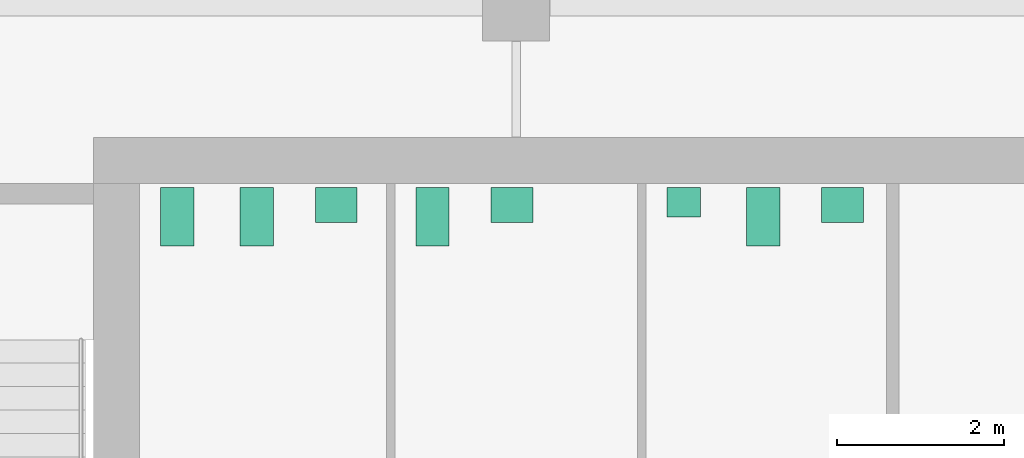
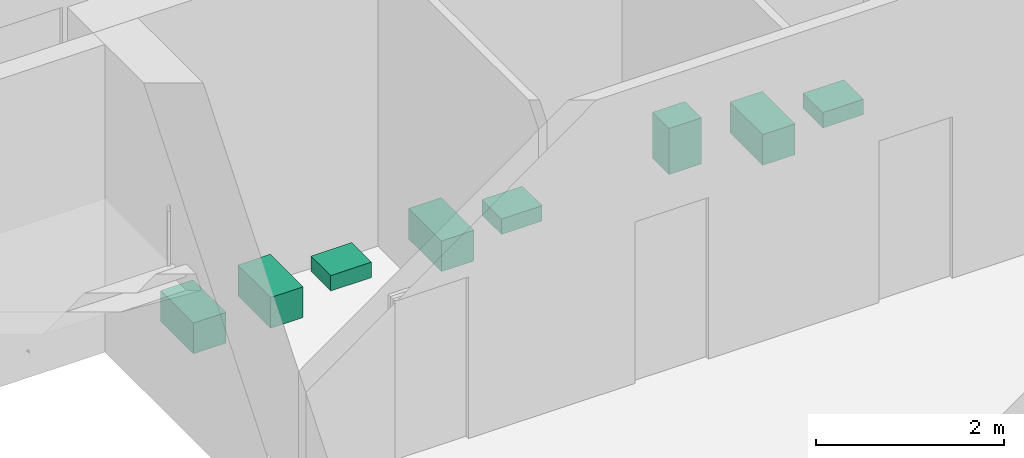
# One storey, part 7 of 7: 8 sanitary terminals.
"""IFC4 building model written with IfcOpenShell, lengths in metres."""

import ifcopenshell
import ifcopenshell.guid

model = None  # the IFC model being written
_history = None  # IfcOwnerHistory: only IFC2X3 demands one
_inside = {}  # id of a spatial element -> (the spatial element, [elements in it])
_under = {}  # id of a project, library or spatial element -> (it, [spatial elements below it])
_declared = {}  # id of a project -> (the project, [libraries it declares])
_typed = {}  # id of a type object -> (the type object, [elements of that type])
_made_of = {}  # id of a material, layer set ... -> (it, [elements and type objects made of it])


def new_model(schema):
    """Start an empty IFC model of exactly this schema.

    Asked for "IFC4X3", IfcOpenShell would pick the latest addendum, in which some entities
    have other attributes; the version numbers below select the first issue.
    IFC2X3 requires an IfcOwnerHistory on every rooted entity: one is made here for all.
    """
    global model, _history
    if schema == "IFC4X3":
        model = ifcopenshell.file(schema_version=(4, 3, 0, 0))
    else:
        model = ifcopenshell.file(schema=schema)
    _inside.clear()
    _under.clear()
    _declared.clear()
    _typed.clear()
    _made_of.clear()
    _history = None
    if model.schema == "IFC2X3":
        org = make("IfcOrganization", Name="unknown")
        user = make(
            "IfcPersonAndOrganization",
            ThePerson=make("IfcPerson", FamilyName="unknown"),
            TheOrganization=org,
        )
        app = make(
            "IfcApplication",
            ApplicationDeveloper=org,
            Version="unknown",
            ApplicationFullName="unknown",
            ApplicationIdentifier="unknown",
        )
        _history = make(
            "IfcOwnerHistory",
            OwningUser=user,
            OwningApplication=app,
            ChangeAction="ADDED",
            CreationDate=0,
        )
    return model


def make(cls, **values):
    """One entity of the class cls with the attributes given. An attribute that is None is left unset."""
    return model.create_entity(
        cls, **{name: value for name, value in values.items() if value is not None}
    )


def rooted(cls, **values):
    """An entity with a GlobalId (a new one), such as an element, a storey or a relation."""
    return make(cls, GlobalId=ifcopenshell.guid.new(), OwnerHistory=_history, **values)


def si_unit(unit_type, name, prefix=None):
    """IfcSIUnit, for example si_unit("LENGTHUNIT", "METRE", prefix="MILLI")."""
    return make("IfcSIUnit", UnitType=unit_type, Prefix=prefix, Name=name)


def assignment(units):
    """IfcUnitAssignment: the units of a project."""
    return None if units is None else make("IfcUnitAssignment", Units=units)


def point(xyz):
    """IfcCartesianPoint."""
    return None if xyz is None else make("IfcCartesianPoint", Coordinates=xyz)


def direction(xyz):
    """IfcDirection."""
    return None if xyz is None else make("IfcDirection", DirectionRatios=xyz)


def frame(location, z_axis=None, x_axis=None):
    """IfcAxis2Placement3D, a coordinate frame: its origin and axes. An axis left out is left unset."""
    return make(
        "IfcAxis2Placement3D",
        Location=point(location),
        Axis=direction(z_axis),
        RefDirection=direction(x_axis),
    )


def frame_2d(location, x_axis=None):
    """IfcAxis2Placement2D, a coordinate frame in the plane: its origin and x axis."""
    return make(
        "IfcAxis2Placement2D", Location=point(location), RefDirection=direction(x_axis)
    )


def origin():
    """The frame at (0, 0, 0) with its axes left unset."""
    return frame((0.0, 0.0, 0.0))


def origin_2d():
    """The frame at (0, 0) in the plane with its x axis left unset."""
    return frame_2d((0.0, 0.0))


def place(relative_to, where):
    """IfcLocalPlacement: puts the frame where relative to a parent placement (None: the world)."""
    return make(
        "IfcLocalPlacement", PlacementRelTo=relative_to, RelativePlacement=where
    )


def context(
    kind, dimensions, precision=None, world=None, true_north=None, identifier=None
):
    """IfcGeometricRepresentationContext, for example the 3D "Model" context."""
    return make(
        "IfcGeometricRepresentationContext",
        ContextIdentifier=identifier,
        ContextType=kind,
        CoordinateSpaceDimension=dimensions,
        Precision=precision,
        WorldCoordinateSystem=world,
        TrueNorth=true_north,
    )


def subcontext(parent, identifier, kind, view, scale=None):
    """IfcGeometricRepresentationSubContext, for example "Body" below "Model"."""
    return make(
        "IfcGeometricRepresentationSubContext",
        ContextIdentifier=identifier,
        ContextType=kind,
        ParentContext=parent,
        TargetScale=scale,
        TargetView=view,
    )


def project(units=None, contexts=None):
    """IfcProject with its units and contexts."""
    return rooted(
        "IfcProject",
        Name="project",
        RepresentationContexts=contexts,
        UnitsInContext=assignment(units),
    )


def spatial(cls, under=None, at=None, **own):
    """A site, building, storey or space (cls), placed at a placement, below another one or the project."""
    s = rooted(cls, ObjectPlacement=at, **own)
    if under is not None:
        _under.setdefault(under.id(), (under, []))[1].append(s)
    return s


def profile(cls, at=None, kind="AREA", **sizes):
    """A parametric profile (cls). Its sizes go by their IFC names, for example OverallWidth=200.0."""
    return make(cls, ProfileType=kind, Position=at, **sizes)


def rectangle(**sizes):
    """IfcRectangleProfileDef."""
    return profile("IfcRectangleProfileDef", **sizes)


def extrude(swept, where, along, depth):
    """IfcExtrudedAreaSolid: the profile swept, set in the frame where, extruded along a direction by depth."""
    return make(
        "IfcExtrudedAreaSolid",
        SweptArea=swept,
        Position=where,
        ExtrudedDirection=direction(along),
        Depth=depth,
    )


def shape(context_of_items, identifier, shape_type, items):
    """IfcShapeRepresentation: the items that make up one representation, for example the "Body"."""
    return make(
        "IfcShapeRepresentation",
        ContextOfItems=context_of_items,
        RepresentationIdentifier=identifier,
        RepresentationType=shape_type,
        Items=items,
    )


def material(Name=None, Category=None):
    """IfcMaterial."""
    return make("IfcMaterial", Name=Name, Category=Category)


def made_of(thing, what):
    """Note that an element or type object is made of a material, layer set ...; save() writes the relation."""
    if what is not None:
        _made_of.setdefault(what.id(), (what, []))[1].append(thing)
    return thing


def type_object(cls, material=None, **own):
    """A type object (cls), such as IfcWallType, which elements share."""
    return made_of(rooted(cls, **own), material)


def element(
    cls,
    number,
    at=None,
    inside=None,
    cuts=None,
    type_object=None,
    material=None,
    context=None,
    identifier="Body",
    shape_type=None,
    held_by="IfcProductDefinitionShape",
    body=None,
    shapes=None,
    **own,
):
    """One element of the class cls, such as IfcWall. Its Tag is "e" and its number.

    at: its placement. inside: the storey or other place that contains it. cuts: it is an
    opening in that element (IfcRelVoidsElement). A single representation is given by context,
    identifier, shape_type and body (its items); several are given by shapes. held_by: the class
    of the entity that holds the representations. save() writes the other relations.
    """
    e = rooted(cls, Tag="e%d" % number, ObjectPlacement=at, **own)
    if body is not None:
        shapes = [shape(context, identifier, shape_type, body)]
    if shapes is not None:
        e.Representation = make(held_by, Representations=shapes)
    if inside is not None:
        _inside.setdefault(inside.id(), (inside, []))[1].append(e)
    if cuts is not None:
        rooted(
            "IfcRelVoidsElement", RelatingBuildingElement=cuts, RelatedOpeningElement=e
        )
    if type_object is not None:
        _typed.setdefault(type_object.id(), (type_object, []))[1].append(e)
    return made_of(e, material)


def aggregate(whole, parts):
    """IfcRelAggregates: a whole, such as a stair, and the parts it consists of."""
    return rooted("IfcRelAggregates", RelatingObject=whole, RelatedObjects=parts)


def save(model, path):
    """Write the relations noted so far, then the file.

    IfcRelAggregates (storeys below a building ...), IfcRelContainedInSpatialStructure (elements
    in a storey), IfcRelDefinesByType, IfcRelAssociatesMaterial and IfcRelDeclares: one each for
    every whole, place, type object, material and project.
    """
    for whole, parts in _under.values():
        aggregate(whole, parts)
    for where, things in _inside.values():
        rooted(
            "IfcRelContainedInSpatialStructure",
            RelatedElements=things,
            RelatingStructure=where,
        )
    for kind, things in _typed.values():
        rooted("IfcRelDefinesByType", RelatedObjects=things, RelatingType=kind)
    for what, things in _made_of.values():
        rooted("IfcRelAssociatesMaterial", RelatedObjects=things, RelatingMaterial=what)
    for by, libraries in _declared.values():
        rooted("IfcRelDeclares", RelatingContext=by, RelatedDefinitions=libraries)
    model.write(path)


model = new_model("IFC4")

# Units and contexts
model_context = context("Model", 3, precision=1e-05, world=origin(), true_north=direction((0.0, 1.0)))
body_context = subcontext(model_context, "Body", "Model", "MODEL_VIEW")
ifc_project = project(units=[si_unit("LENGTHUNIT", "METRE"), si_unit("AREAUNIT", "SQUARE_METRE"), si_unit("VOLUMEUNIT", "CUBIC_METRE"), si_unit("PLANEANGLEUNIT", "RADIAN"), si_unit("MASSUNIT", "GRAM", prefix="KILO")], contexts=[model_context])

# Site, building, storey
site_placement = place(None, origin())
site = spatial("IfcSite", under=ifc_project, at=site_placement, CompositionType="ELEMENT")
building_placement = place(site_placement, origin())
building = spatial("IfcBuilding", under=site, at=building_placement, Name="Cinnabar Reach Civic Tower", CompositionType="ELEMENT")
storey_placement = place(building_placement, frame((0.0, 0.0, 230.0)))
storey = spatial("IfcBuildingStorey", under=building, at=storey_placement, Name="L55", CompositionType="ELEMENT", Elevation=230.0)

# Sanitary terminals
ifc_material = material(Name="Vitreous china")
sanitary_terminal_type_1 = type_object("IfcSanitaryTerminalType", Name="T1 WC pan", PredefinedType="TOILETPAN", material=ifc_material)
for number, where, z_axis, x_axis, name in (
    (1, (4.95, 41.6, 0.0), (0.0, 0.0, 1.0), (1.0, 0.0, 0.0), "T1 WC pan 5508-1"),
    (2, (5.9, 41.6, 0.0), (0.0, 0.0, 1.0), (1.0, 0.0, 0.0), "T1 WC pan 5508-2"),
    (3, (8.0, 41.6, 0.0), (0.0, 0.0, 1.0), (1.0, 0.0, 0.0), "T1 WC pan 5509-1"),
    (4, (11.95, 41.6, 0.0), (0.0, 0.0, 1.0), (1.0, 0.0, 0.0), "T1 WC pan 5510-2"),
):
    element("IfcSanitaryTerminal", number, at=place(storey_placement, frame(where, z_axis=z_axis, x_axis=x_axis)), inside=storey, type_object=sanitary_terminal_type_1, Name=name, PredefinedType="TOILETPAN", context=body_context, shape_type="SweptSolid", body=[
        extrude(rectangle(XDim=0.4, YDim=0.7, at=origin_2d()), origin(), (0.0, 0.0, 1.0), 0.4),
    ])
sanitary_terminal_type_2 = type_object("IfcSanitaryTerminalType", Name="T1 urinal", PredefinedType="URINAL", material=ifc_material)
sanitary_terminal_placement = place(storey_placement, frame((11.0, 41.775, 0.0), z_axis=(0.0, 0.0, 1.0), x_axis=(1.0, 0.0, 0.0)))
element("IfcSanitaryTerminal", 5, at=sanitary_terminal_placement, inside=storey, type_object=sanitary_terminal_type_2, Name="T1 urinal 5510-1", PredefinedType="URINAL", context=body_context, shape_type="SweptSolid", body=[
    extrude(rectangle(XDim=0.4, YDim=0.35, at=origin_2d()), origin(), (0.0, 0.0, 1.0), 0.6),
])
sanitary_terminal_type_3 = type_object("IfcSanitaryTerminalType", Name="T1 wash basin", PredefinedType="WASHHANDBASIN", material=ifc_material)
for number, where, z_axis, x_axis, name in (
    (6, (6.85, 41.74, 0.0), (0.0, 0.0, 1.0), (1.0, 0.0, 0.0), "T1 wash basin 5508-3"),
    (7, (8.95, 41.74, 0.0), (0.0, 0.0, 1.0), (1.0, 0.0, 0.0), "T1 wash basin 5509-2"),
    (8, (12.9, 41.74, 0.0), (0.0, 0.0, 1.0), (1.0, 0.0, 0.0), "T1 wash basin 5510-3"),
):
    element("IfcSanitaryTerminal", number, at=place(storey_placement, frame(where, z_axis=z_axis, x_axis=x_axis)), inside=storey, type_object=sanitary_terminal_type_3, Name=name, PredefinedType="WASHHANDBASIN", context=body_context, shape_type="SweptSolid", body=[
        extrude(rectangle(XDim=0.5, YDim=0.42, at=origin_2d()), origin(), (0.0, 0.0, 1.0), 0.2),
    ])

save(model, "model.ifc")
